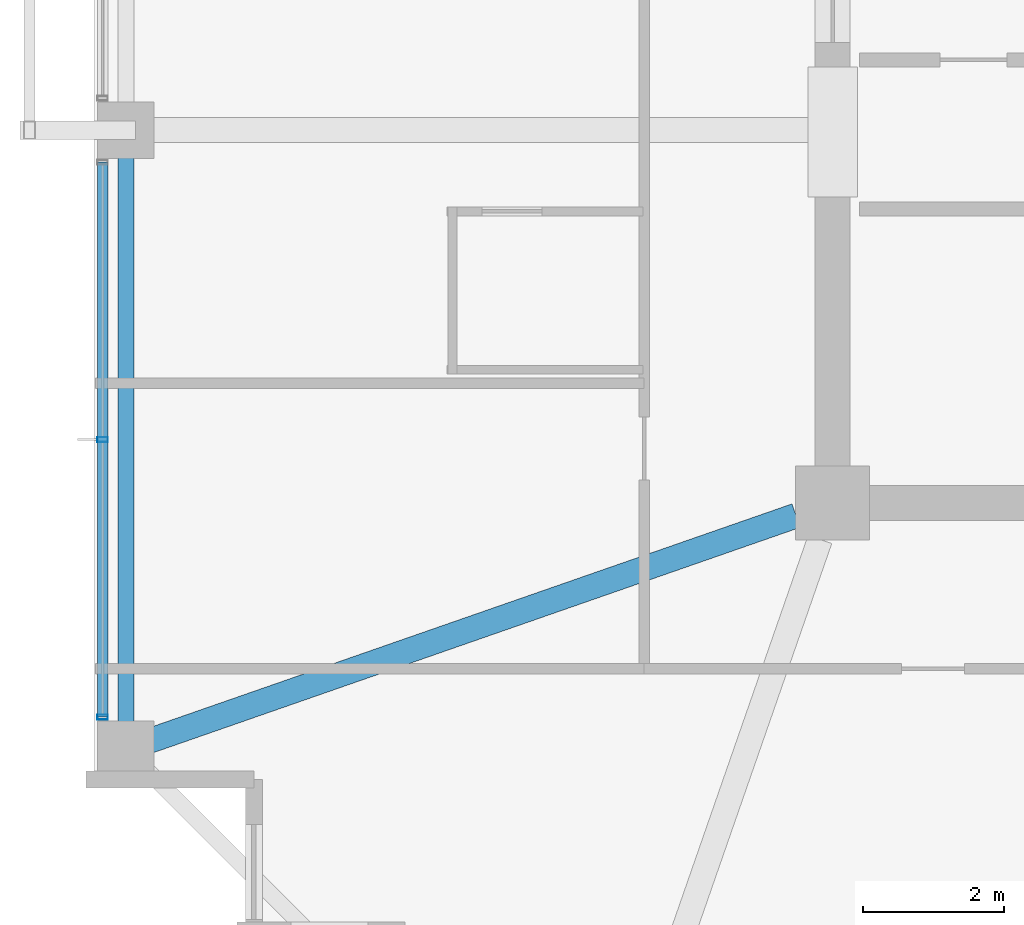
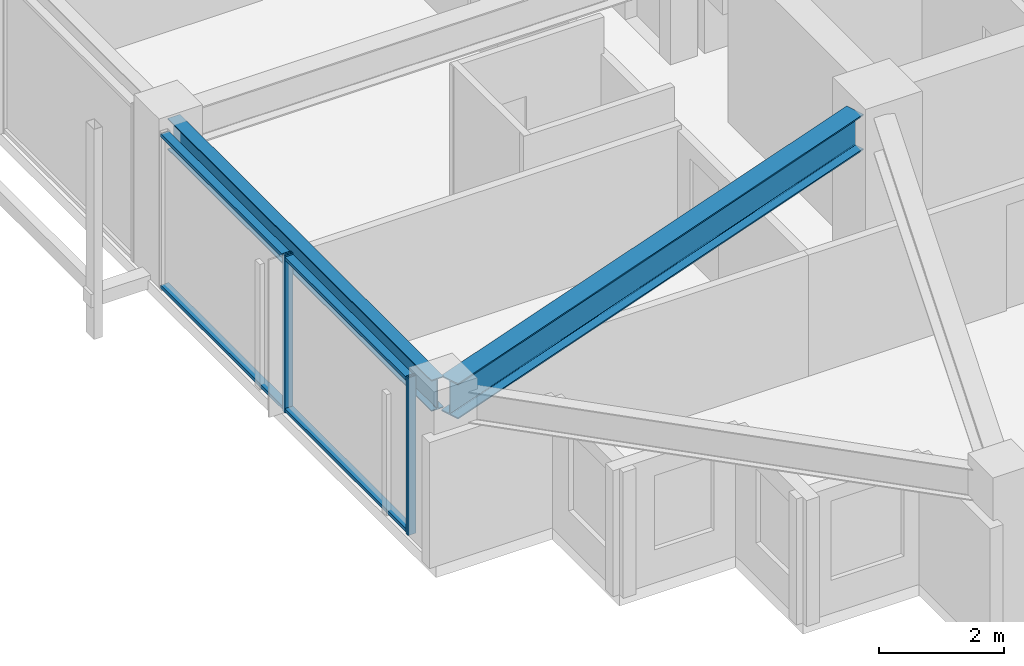
# One storey, part 3 of 38: 4 members, 2 beams, 1 element without a shape of its own.
"""IFC4 building model written with IfcOpenShell, lengths in metres."""

import ifcopenshell
import ifcopenshell.guid

model = None  # the IFC model being written
_history = None  # IfcOwnerHistory: only IFC2X3 demands one
_inside = {}  # id of a spatial element -> (the spatial element, [elements in it])
_under = {}  # id of a project, library or spatial element -> (it, [spatial elements below it])
_declared = {}  # id of a project -> (the project, [libraries it declares])
_typed = {}  # id of a type object -> (the type object, [elements of that type])
_made_of = {}  # id of a material, layer set ... -> (it, [elements and type objects made of it])


def new_model(schema):
    """Start an empty IFC model of exactly this schema.

    Asked for "IFC4X3", IfcOpenShell would pick the latest addendum, in which some entities
    have other attributes; the version numbers below select the first issue.
    IFC2X3 requires an IfcOwnerHistory on every rooted entity: one is made here for all.
    """
    global model, _history
    if schema == "IFC4X3":
        model = ifcopenshell.file(schema_version=(4, 3, 0, 0))
    else:
        model = ifcopenshell.file(schema=schema)
    _inside.clear()
    _under.clear()
    _declared.clear()
    _typed.clear()
    _made_of.clear()
    _history = None
    if model.schema == "IFC2X3":
        org = make("IfcOrganization", Name="unknown")
        user = make(
            "IfcPersonAndOrganization",
            ThePerson=make("IfcPerson", FamilyName="unknown"),
            TheOrganization=org,
        )
        app = make(
            "IfcApplication",
            ApplicationDeveloper=org,
            Version="unknown",
            ApplicationFullName="unknown",
            ApplicationIdentifier="unknown",
        )
        _history = make(
            "IfcOwnerHistory",
            OwningUser=user,
            OwningApplication=app,
            ChangeAction="ADDED",
            CreationDate=0,
        )
    return model


def make(cls, **values):
    """One entity of the class cls with the attributes given. An attribute that is None is left unset."""
    return model.create_entity(
        cls, **{name: value for name, value in values.items() if value is not None}
    )


def rooted(cls, **values):
    """An entity with a GlobalId (a new one), such as an element, a storey or a relation."""
    return make(cls, GlobalId=ifcopenshell.guid.new(), OwnerHistory=_history, **values)


def si_unit(unit_type, name, prefix=None):
    """IfcSIUnit, for example si_unit("LENGTHUNIT", "METRE", prefix="MILLI")."""
    return make("IfcSIUnit", UnitType=unit_type, Prefix=prefix, Name=name)


def assignment(units):
    """IfcUnitAssignment: the units of a project."""
    return None if units is None else make("IfcUnitAssignment", Units=units)


def point(xyz):
    """IfcCartesianPoint."""
    return None if xyz is None else make("IfcCartesianPoint", Coordinates=xyz)


def direction(xyz):
    """IfcDirection."""
    return None if xyz is None else make("IfcDirection", DirectionRatios=xyz)


def frame(location, z_axis=None, x_axis=None):
    """IfcAxis2Placement3D, a coordinate frame: its origin and axes. An axis left out is left unset."""
    return make(
        "IfcAxis2Placement3D",
        Location=point(location),
        Axis=direction(z_axis),
        RefDirection=direction(x_axis),
    )


def frame_2d(location, x_axis=None):
    """IfcAxis2Placement2D, a coordinate frame in the plane: its origin and x axis."""
    return make(
        "IfcAxis2Placement2D", Location=point(location), RefDirection=direction(x_axis)
    )


def origin():
    """The frame at (0, 0, 0) with its axes left unset."""
    return frame((0.0, 0.0, 0.0))


def origin_2d():
    """The frame at (0, 0) in the plane with its x axis left unset."""
    return frame_2d((0.0, 0.0))


def place(relative_to, where):
    """IfcLocalPlacement: puts the frame where relative to a parent placement (None: the world)."""
    return make(
        "IfcLocalPlacement", PlacementRelTo=relative_to, RelativePlacement=where
    )


def context(
    kind, dimensions, precision=None, world=None, true_north=None, identifier=None
):
    """IfcGeometricRepresentationContext, for example the 3D "Model" context."""
    return make(
        "IfcGeometricRepresentationContext",
        ContextIdentifier=identifier,
        ContextType=kind,
        CoordinateSpaceDimension=dimensions,
        Precision=precision,
        WorldCoordinateSystem=world,
        TrueNorth=true_north,
    )


def subcontext(parent, identifier, kind, view, scale=None):
    """IfcGeometricRepresentationSubContext, for example "Body" below "Model"."""
    return make(
        "IfcGeometricRepresentationSubContext",
        ContextIdentifier=identifier,
        ContextType=kind,
        ParentContext=parent,
        TargetScale=scale,
        TargetView=view,
    )


def project(units=None, contexts=None):
    """IfcProject with its units and contexts."""
    return rooted(
        "IfcProject",
        Name="project",
        RepresentationContexts=contexts,
        UnitsInContext=assignment(units),
    )


def spatial(cls, under=None, at=None, **own):
    """A site, building, storey or space (cls), placed at a placement, below another one or the project."""
    s = rooted(cls, ObjectPlacement=at, **own)
    if under is not None:
        _under.setdefault(under.id(), (under, []))[1].append(s)
    return s


def profile(cls, at=None, kind="AREA", **sizes):
    """A parametric profile (cls). Its sizes go by their IFC names, for example OverallWidth=200.0."""
    return make(cls, ProfileType=kind, Position=at, **sizes)


def hollow_rectangle(**sizes):
    """IfcRectangleHollowProfileDef."""
    return profile("IfcRectangleHollowProfileDef", **sizes)


def i_section(**sizes):
    """IfcIShapeProfileDef."""
    return profile("IfcIShapeProfileDef", **sizes)


def extrude(swept, where, along, depth):
    """IfcExtrudedAreaSolid: the profile swept, set in the frame where, extruded along a direction by depth."""
    return make(
        "IfcExtrudedAreaSolid",
        SweptArea=swept,
        Position=where,
        ExtrudedDirection=direction(along),
        Depth=depth,
    )


def shape(context_of_items, identifier, shape_type, items):
    """IfcShapeRepresentation: the items that make up one representation, for example the "Body"."""
    return make(
        "IfcShapeRepresentation",
        ContextOfItems=context_of_items,
        RepresentationIdentifier=identifier,
        RepresentationType=shape_type,
        Items=items,
    )


def material(Name=None, Category=None):
    """IfcMaterial."""
    return make("IfcMaterial", Name=Name, Category=Category)


def material_profile(
    of_material, cross_section, Name=None, Category=None, Priority=None
):
    """IfcMaterialProfile: a cross section and its material."""
    return make(
        "IfcMaterialProfile",
        Name=Name,
        Material=of_material,
        Profile=cross_section,
        Priority=Priority,
        Category=Category,
    )


def profile_set(profiles, Name=None, composite=None):
    """IfcMaterialProfileSet."""
    return make(
        "IfcMaterialProfileSet",
        Name=Name,
        MaterialProfiles=profiles,
        CompositeProfile=composite,
    )


def made_of(thing, what):
    """Note that an element or type object is made of a material, layer set ...; save() writes the relation."""
    if what is not None:
        _made_of.setdefault(what.id(), (what, []))[1].append(thing)
    return thing


def type_object(cls, material=None, **own):
    """A type object (cls), such as IfcWallType, which elements share."""
    return made_of(rooted(cls, **own), material)


def element(
    cls,
    number,
    at=None,
    inside=None,
    cuts=None,
    type_object=None,
    material=None,
    context=None,
    identifier="Body",
    shape_type=None,
    held_by="IfcProductDefinitionShape",
    body=None,
    shapes=None,
    **own,
):
    """One element of the class cls, such as IfcWall. Its Tag is "e" and its number.

    at: its placement. inside: the storey or other place that contains it. cuts: it is an
    opening in that element (IfcRelVoidsElement). A single representation is given by context,
    identifier, shape_type and body (its items); several are given by shapes. held_by: the class
    of the entity that holds the representations. save() writes the other relations.
    """
    e = rooted(cls, Tag="e%d" % number, ObjectPlacement=at, **own)
    if body is not None:
        shapes = [shape(context, identifier, shape_type, body)]
    if shapes is not None:
        e.Representation = make(held_by, Representations=shapes)
    if inside is not None:
        _inside.setdefault(inside.id(), (inside, []))[1].append(e)
    if cuts is not None:
        rooted(
            "IfcRelVoidsElement", RelatingBuildingElement=cuts, RelatedOpeningElement=e
        )
    if type_object is not None:
        _typed.setdefault(type_object.id(), (type_object, []))[1].append(e)
    return made_of(e, material)


def aggregate(whole, parts):
    """IfcRelAggregates: a whole, such as a stair, and the parts it consists of."""
    return rooted("IfcRelAggregates", RelatingObject=whole, RelatedObjects=parts)


def save(model, path):
    """Write the relations noted so far, then the file.

    IfcRelAggregates (storeys below a building ...), IfcRelContainedInSpatialStructure (elements
    in a storey), IfcRelDefinesByType, IfcRelAssociatesMaterial and IfcRelDeclares: one each for
    every whole, place, type object, material and project.
    """
    for whole, parts in _under.values():
        aggregate(whole, parts)
    for where, things in _inside.values():
        rooted(
            "IfcRelContainedInSpatialStructure",
            RelatedElements=things,
            RelatingStructure=where,
        )
    for kind, things in _typed.values():
        rooted("IfcRelDefinesByType", RelatedObjects=things, RelatingType=kind)
    for what, things in _made_of.values():
        rooted("IfcRelAssociatesMaterial", RelatedObjects=things, RelatingMaterial=what)
    for by, libraries in _declared.values():
        rooted("IfcRelDeclares", RelatingContext=by, RelatedDefinitions=libraries)
    model.write(path)


model = new_model("IFC4")

# Units and contexts
model_context = context("Model", 3, precision=1e-05, world=origin(), true_north=direction((0.0, 1.0)))
body_context = subcontext(model_context, "Body", "Model", "MODEL_VIEW")
ifc_project = project(units=[si_unit("LENGTHUNIT", "METRE"), si_unit("AREAUNIT", "SQUARE_METRE"), si_unit("VOLUMEUNIT", "CUBIC_METRE"), si_unit("PLANEANGLEUNIT", "RADIAN"), si_unit("MASSUNIT", "GRAM", prefix="KILO")], contexts=[model_context])

# Site, building, storey
site_placement = place(None, origin())
site = spatial("IfcSite", under=ifc_project, at=site_placement, CompositionType="ELEMENT")
building_placement = place(site_placement, origin())
building = spatial("IfcBuilding", under=site, at=building_placement, Name="Kolvaren Belvedere", CompositionType="ELEMENT")
storey_placement = place(building_placement, frame((0.0, 0.0, 206.39990234375)))
storey = spatial("IfcBuildingStorey", under=building, at=storey_placement, Name="L60", CompositionType="ELEMENT", Elevation=206.39990234375)

# Beams
ifc_material_1 = material(Name="Structural steel ASTM A992 Grade 50", Category="steel")
ifc_material_profile_1 = material_profile(ifc_material_1, i_section(OverallWidth=0.35498046875, OverallDepth=0.696044921875, WebThickness=0.015380859375, FlangeThickness=0.02490234375, FilletRadius=0.02197265625, at=origin_2d()), Name="W27X146")
ifc_profile_set_1 = profile_set([ifc_material_profile_1], Name="Structural steel ASTM A992 Grade 50")
beam_type_1 = type_object("IfcBeamType", Name="BM-GIRD-W27X146", PredefinedType="BEAM", material=ifc_profile_set_1)
beam_1_placement = place(storey_placement, frame((-10.41943359375, -10.080810546875, 2.732177734375), z_axis=(-0.944365399758, -0.328898147971, 0.0), x_axis=(0.328898147971, -0.944365399758, 0.0)))
element("IfcBeam", 1, at=beam_1_placement, inside=storey, type_object=beam_type_1, Name="L60 Corner Core-to-Perimeter Girder CC1-W1", PredefinedType="BEAM", context=body_context, shape_type="SweptSolid", body=[
    extrude(i_section(OverallWidth=0.35498046875, OverallDepth=0.696044921875, WebThickness=0.015380859375, FlangeThickness=0.02490234375, FilletRadius=0.02197265625, at=origin_2d()), origin(), (0.0, 0.0, 1.0), 9.931884765625),
])
ifc_material_2 = material(Name="Structural steel ASTM A992 Grade 50", Category="steel")
ifc_material_profile_2 = material_profile(ifc_material_2, i_section(OverallWidth=0.22900390625, OverallDepth=0.612060546875, WebThickness=0.011962890625, FlangeThickness=0.01953125, FilletRadius=0.01806640625, at=origin_2d()), Name="W24X84")
ifc_profile_set_2 = profile_set([ifc_material_profile_2], Name="Structural steel ASTM A992 Grade 50")
beam_type_2 = type_object("IfcBeamType", Name="BM-SPAN-W24X84", PredefinedType="SPANDREL", material=ifc_profile_set_2)
beam_2_placement = place(storey_placement, frame((-19.949951171875, -4.780029296875, 2.774169921875), z_axis=(0.0, -1.0, 0.0), x_axis=(1.0, 0.0, 0.0)))
element("IfcBeam", 2, at=beam_2_placement, inside=storey, type_object=beam_type_2, Name="L60 Perimeter Spandrel W2-W1", PredefinedType="SPANDREL", context=body_context, shape_type="SweptSolid", body=[
    extrude(i_section(OverallWidth=0.22900390625, OverallDepth=0.612060546875, WebThickness=0.011962890625, FlangeThickness=0.01953125, FilletRadius=0.01806640625, at=origin_2d()), origin(), (0.0, 0.0, 1.0), 8.43994140625),
])

# Curtain wall, members
ifc_material_3 = material(Name="Anodised pale-metal aluminium AA 6063-T6", Category="aluminium")
curtain_wall_type = type_object("IfcCurtainWallType", Name="CW-Z5-HIGH", PredefinedType="NOTDEFINED", material=ifc_material_3)
curtain_wall_placement = place(storey_placement, origin())
curtain_wall = element("IfcCurtainWall", 3, at=curtain_wall_placement, inside=storey, type_object=curtain_wall_type, Name="L60 Unitised Curtain Wall FCW-L60-W-B1", PredefinedType="NOTDEFINED")
ifc_material_4 = material(Name="Anodised pale-metal aluminium AA 6063-T6", Category="aluminium")
ifc_material_profile_3 = material_profile(ifc_material_4, hollow_rectangle(XDim=0.070068359375, YDim=0.14990234375, WallThickness=0.004150390625, at=origin_2d()), Name="ALU-MUL-150X70")
ifc_profile_set_3 = profile_set([ifc_material_profile_3], Name="Anodised pale-metal aluminium AA 6063-T6")
member_type_1 = type_object("IfcMemberType", Name="CW-MUL-150", PredefinedType="MULLION", material=ifc_profile_set_3)
member_1_placement = place(storey_placement, frame((-20.280029296875, -12.945068359375, 0.0), z_axis=(0.0, 0.0, 1.0), x_axis=(0.0, 1.0, 0.0)))
member_1 = element("IfcMember", 4, at=member_1_placement, type_object=member_type_1, Name="FCW-L60-W-B1 Unitised Mullion 1", PredefinedType="MULLION", context=body_context, shape_type="SweptSolid", body=[
    extrude(hollow_rectangle(XDim=0.070068359375, YDim=0.14990234375, WallThickness=0.004150390625, at=origin_2d()), origin(), (0.0, 0.0, 1.0), 3.080078125),
])
member_2_placement = place(storey_placement, frame((-20.280029296875, -9.0, 0.0), z_axis=(0.0, 0.0, 1.0), x_axis=(0.0, 1.0, 0.0)))
member_2 = element("IfcMember", 5, at=member_2_placement, type_object=member_type_1, Name="FCW-L60-W-B1 Unitised Mullion 2", PredefinedType="MULLION", context=body_context, shape_type="SweptSolid", body=[
    extrude(hollow_rectangle(XDim=0.070068359375, YDim=0.14990234375, WallThickness=0.004150390625, at=origin_2d()), origin(), (0.0, 0.0, 1.0), 3.080078125),
])
ifc_material_5 = material(Name="Anodised pale-metal aluminium AA 6063-T6", Category="aluminium")
ifc_material_profile_4 = material_profile(ifc_material_5, hollow_rectangle(XDim=0.06494140625, YDim=0.14990234375, WallThickness=0.00390625, at=origin_2d()), Name="ALU-TRN-150X65")
ifc_profile_set_4 = profile_set([ifc_material_profile_4], Name="Anodised pale-metal aluminium AA 6063-T6")
member_type_2 = type_object("IfcMemberType", Name="CW-TRN-150", PredefinedType="USERDEFINED", material=ifc_profile_set_4)
member_3_placement = place(storey_placement, frame((-20.280029296875, -12.945068359375, 0.06005859375), z_axis=(0.0, 1.0, 0.0), x_axis=(0.0, 0.0, 1.0)))
member_3 = element("IfcMember", 6, at=member_3_placement, type_object=member_type_2, Name="FCW-L60-W-B1 Sill Transom", ObjectType="TRANSOM", PredefinedType="USERDEFINED", context=body_context, shape_type="SweptSolid", body=[
    extrude(hollow_rectangle(XDim=0.06494140625, YDim=0.14990234375, WallThickness=0.00390625, at=origin_2d()), origin(), (0.0, 0.0, 1.0), 7.89013671875),
])
member_4_placement = place(storey_placement, frame((-20.280029296875, -12.945068359375, 3.02001953125), z_axis=(0.0, 1.0, 0.0), x_axis=(0.0, 0.0, 1.0)))
member_4 = element("IfcMember", 7, at=member_4_placement, type_object=member_type_2, Name="FCW-L60-W-B1 Head Transom", ObjectType="TRANSOM", PredefinedType="USERDEFINED", context=body_context, shape_type="SweptSolid", body=[
    extrude(hollow_rectangle(XDim=0.06494140625, YDim=0.14990234375, WallThickness=0.00390625, at=origin_2d()), origin(), (0.0, 0.0, 1.0), 7.89013671875),
])
aggregate(curtain_wall, [member_1, member_2, member_3, member_4])

save(model, "model.ifc")
